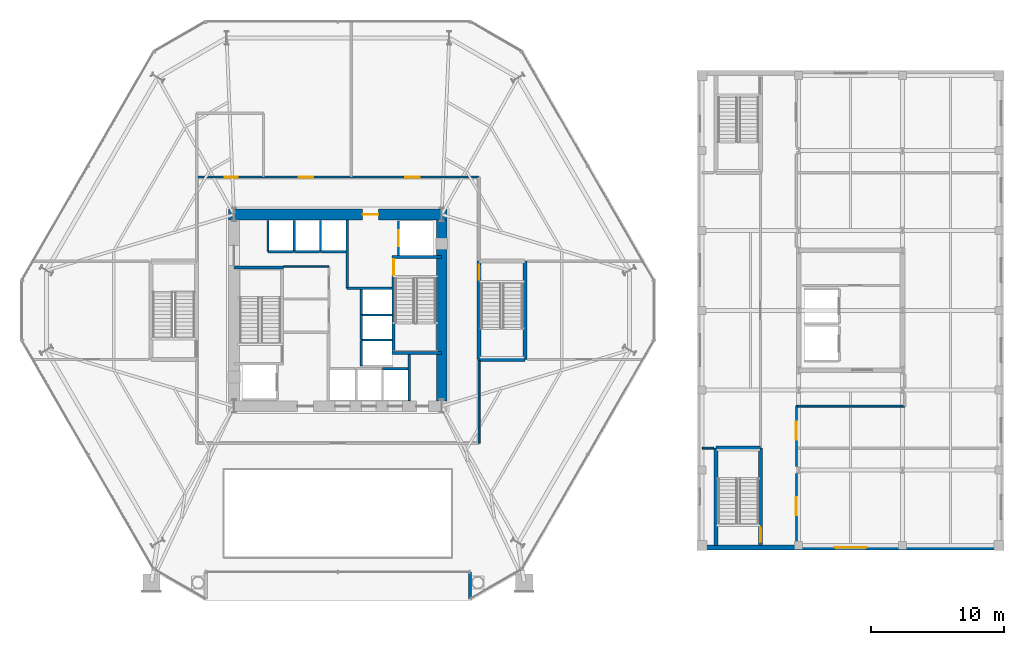
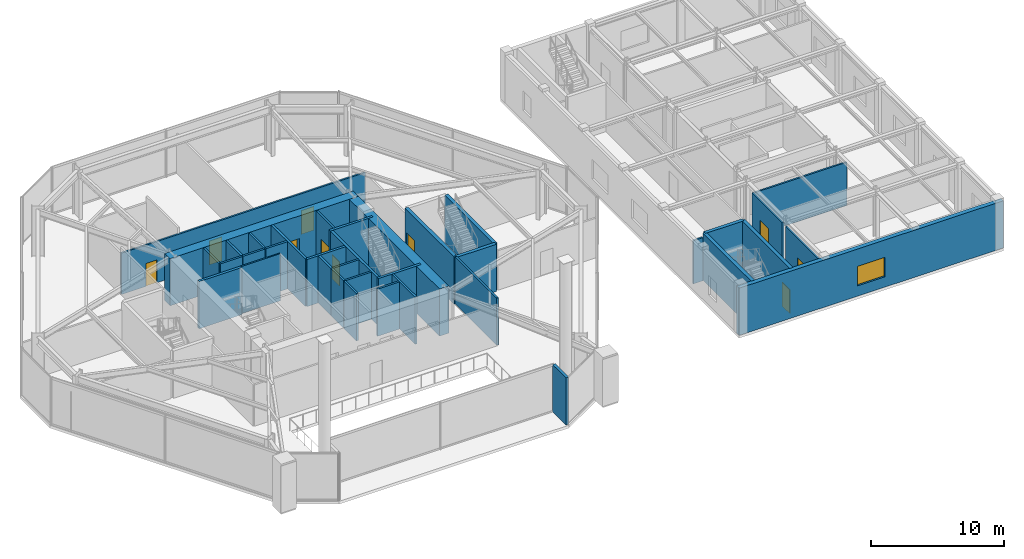
# One storey, part 16 of 22: 37 walls, 10 doors, 1 window, 11 openings.
"""IFC4 building model written with IfcOpenShell, lengths in metres."""

from ifc_helpers import new_model, si_unit, direction, frame, frame_2d, origin, place, context, subcontext, project, spatial, rectangle, extrude, material, layer, layer_set, type_object, element, fill, save


model = new_model("IFC4")

# Units and contexts
model_context = context("Model", 3, precision=1e-05, world=origin(), true_north=direction((0.0, 1.0)))
body_context = subcontext(model_context, "Body", "Model", "MODEL_VIEW")
ifc_project = project(units=[si_unit("LENGTHUNIT", "METRE"), si_unit("AREAUNIT", "SQUARE_METRE"), si_unit("VOLUMEUNIT", "CUBIC_METRE"), si_unit("PLANEANGLEUNIT", "RADIAN"), si_unit("MASSUNIT", "GRAM", prefix="KILO")], contexts=[model_context])

# Site, building, storey
site_placement = place(None, origin())
site = spatial("IfcSite", under=ifc_project, at=site_placement, CompositionType="ELEMENT")
building_placement = place(site_placement, origin())
building = spatial("IfcBuilding", under=site, at=building_placement, Name="Kranzbogen Civic Tower", CompositionType="ELEMENT")
storey_placement = place(building_placement, frame((0.0, 0.0, 5.199951171875)))
storey = spatial("IfcBuildingStorey", under=building, at=storey_placement, Name="L01", CompositionType="ELEMENT", Elevation=5.199951171875)

# Wall, openings, doors
ifc_material_1 = material(Name="Double-Stud Acoustic Gypsum Partition")
ifc_layer_1 = layer(ifc_material_1, 0.14990234375, Name="Double-Stud Acoustic Gypsum Partition")
ifc_layer_set_1 = layer_set([ifc_layer_1], Name="Double-Stud Acoustic Gypsum Partition")
wall_type_1 = type_object("IfcWallType", Name="Acoustic Corridor and Clinical Partition 150 mm", PredefinedType="PARTITIONING", material=ifc_layer_set_1)
wall_1_placement = place(storey_placement, frame((14.39990234375, 35.0, 0.0), z_axis=(0.0, 0.0, 1.0), x_axis=(1.0, 0.0, 0.0)))
wall_1 = element("IfcWall", 1, at=wall_1_placement, inside=storey, type_object=wall_type_1, Name="L01 podium concourse N wall", PredefinedType="PARTITIONING", context=body_context, shape_type="SweptSolid", body=[
    extrude(rectangle(XDim=21.2001953125, YDim=0.14990234375, at=frame_2d((10.60009765625, 0.0))), origin(), (0.0, 0.0, 1.0), 3.7900390625),
])
opening_1_placement = place(wall_1_placement, frame((2.1201171875, 0.0, 0.0)))
opening_1 = element("IfcOpeningElement", 2, at=opening_1_placement, cuts=wall_1, Name="Opening D-AWC95", PredefinedType="OPENING", context=body_context, shape_type="SweptSolid", body=[
    extrude(rectangle(XDim=0.949951171875, YDim=2.10009765625, at=frame_2d((0.47509765625, 1.050048828125))), frame((0.0, 0.0849609375, 0.0), z_axis=(0.0, -1.0, 0.0), x_axis=(1.0, 0.0, 0.0)), (0.0, 0.0, 1.0), 0.169921875),
])
opening_2_placement = place(wall_1_placement, frame((15.666015625, 0.0, 0.0)))
opening_2 = element("IfcOpeningElement", 3, at=opening_2_placement, cuts=wall_1, Name="Opening D-COR60", PredefinedType="OPENING", context=body_context, shape_type="SweptSolid", body=[
    extrude(rectangle(XDim=1.10009765625, YDim=2.199951171875, at=frame_2d((0.550048828125, 1.10009765625))), frame((0.0, 0.0849609375, 0.0), z_axis=(0.0, -1.0, 0.0), x_axis=(1.0, 0.0, 0.0)), (0.0, 0.0, 1.0), 0.169921875),
])
opening_3_placement = place(wall_1_placement, frame((7.659912109375, 0.0, 0.0)))
opening_3 = element("IfcOpeningElement", 4, at=opening_3_placement, cuts=wall_1, Name="Opening D-COR60", PredefinedType="OPENING", context=body_context, shape_type="SweptSolid", body=[
    extrude(rectangle(XDim=1.10009765625, YDim=2.199951171875, at=frame_2d((0.550048828125, 1.10009765625))), frame((0.0, 0.0849609375, 0.0), z_axis=(0.0, -1.0, 0.0), x_axis=(1.0, 0.0, 0.0)), (0.0, 0.0, 1.0), 0.169921875),
])
ifc_material_2 = material(Name="Moisture-Resistant Laminate")
door_type_1 = type_object("IfcDoorType", Name="Accessible Restroom Door 950x2100", OperationType="NOTDEFINED", PredefinedType="DOOR", material=ifc_material_2)
door_1_placement = place(opening_1_placement, origin())
door_1 = element("IfcDoor", 5, at=door_1_placement, inside=storey, type_object=door_type_1, Name="L01 Public Restroom Suite door", OperationType="SINGLE_SWING_LEFT", OverallHeight=2.10009765625, OverallWidth=0.949951171875, PredefinedType="DOOR", context=body_context, shape_type="SweptSolid", body=[
    extrude(rectangle(XDim=0.949951171875, YDim=2.10009765625, at=frame_2d((0.47509765625, 1.050048828125))), frame((0.0, 0.02490234375, 0.0), z_axis=(0.0, -1.0, 0.0), x_axis=(1.0, 0.0, 0.0)), (0.0, 0.0, 1.0), 0.050048828125),
])
fill(opening_1, door_1)
ifc_material_3 = material(Name="Oak Timber and Fire Core", Category="wood")
door_type_2 = type_object("IfcDoorType", Name="Corridor Acoustic Fire Door 1100x2200", OperationType="NOTDEFINED", PredefinedType="DOOR", material=ifc_material_3)
door_2_placement = place(opening_2_placement, origin())
door_2 = element("IfcDoor", 6, at=door_2_placement, inside=storey, type_object=door_type_2, Name="L01 Public Gallery Overlook door", OperationType="SINGLE_SWING_LEFT", OverallHeight=2.199951171875, OverallWidth=1.10009765625, PredefinedType="DOOR", context=body_context, shape_type="SweptSolid", body=[
    extrude(rectangle(XDim=1.10009765625, YDim=2.199951171875, at=frame_2d((0.550048828125, 1.10009765625))), frame((0.0, 0.02490234375, 0.0), z_axis=(0.0, -1.0, 0.0), x_axis=(1.0, 0.0, 0.0)), (0.0, 0.0, 1.0), 0.050048828125),
])
fill(opening_2, door_2)
door_3_placement = place(opening_3_placement, origin())
door_3 = element("IfcDoor", 7, at=door_3_placement, inside=storey, type_object=door_type_2, Name="L01 Citizen Advisory Office door", OperationType="SINGLE_SWING_RIGHT", OverallHeight=2.199951171875, OverallWidth=1.10009765625, PredefinedType="DOOR", context=body_context, shape_type="SweptSolid", body=[
    extrude(rectangle(XDim=1.10009765625, YDim=2.199951171875, at=frame_2d((0.550048828125, 1.10009765625))), frame((0.0, 0.02490234375, 0.0), z_axis=(0.0, -1.0, 0.0), x_axis=(1.0, 0.0, 0.0)), (0.0, 0.0, 1.0), 0.050048828125),
])
fill(opening_3, door_3)

# Wall
wall_2_placement = place(storey_placement, frame((35.60009765625, 15.0, 0.0), z_axis=(0.0, 0.0, 1.0), x_axis=(0.0, 1.0, 0.0)))
element("IfcWall", 8, at=wall_2_placement, inside=storey, type_object=wall_type_1, Name="L01 podium concourse E1 wall", PredefinedType="PARTITIONING", context=body_context, shape_type="SweptSolid", body=[
    extrude(rectangle(XDim=6.25, YDim=0.14990234375, at=frame_2d((3.125, 0.0))), origin(), (0.0, 0.0, 1.0), 4.340087890625),
])

# Wall, opening, door
wall_3_placement = place(storey_placement, frame((59.425048828125, 7.68994140625, 0.0), z_axis=(0.0, 0.0, 1.0), x_axis=(0.0, 1.0, 0.0)))
wall_3 = element("IfcWall", 9, at=wall_3_placement, inside=storey, type_object=wall_type_1, Name="L01 clinical corridor E1 wall part 1", PredefinedType="PARTITIONING", context=body_context, shape_type="SweptSolid", body=[
    extrude(rectangle(XDim=5.045166015625, YDim=0.14990234375, at=frame_2d((2.5224609375, 0.0))), origin(), (0.0, 0.0, 1.0), 3.97998046875),
])
opening_4_placement = place(wall_3_placement, frame((1.93603515625, 0.0, 0.0)))
opening_4 = element("IfcOpeningElement", 10, at=opening_4_placement, cuts=wall_3, Name="Opening D-CLN60", PredefinedType="OPENING", context=body_context, shape_type="SweptSolid", body=[
    extrude(rectangle(XDim=1.35009765625, YDim=2.199951171875, at=frame_2d((0.675048828125, 1.10009765625))), frame((0.0, 0.0849609375, 0.0), z_axis=(0.0, -1.0, 0.0), x_axis=(1.0, 0.0, 0.0)), (0.0, 0.0, 1.0), 0.169921875),
])
ifc_material_4 = material(Name="Pale Anodised Aluminium", Category="aluminium")
door_type_3 = type_object("IfcDoorType", Name="Clinical Wide Leaf Door 1350x2200", OperationType="NOTDEFINED", PredefinedType="DOOR", material=ifc_material_4)
door_4_placement = place(opening_4_placement, origin())
door_4 = element("IfcDoor", 11, at=door_4_placement, inside=storey, type_object=door_type_3, Name="L01 Patient Waiting Lounge door", OperationType="SINGLE_SWING_RIGHT", OverallHeight=2.199951171875, OverallWidth=1.35009765625, PredefinedType="DOOR", context=body_context, shape_type="SweptSolid", body=[
    extrude(rectangle(XDim=1.35009765625, YDim=2.199951171875, at=frame_2d((0.675048828125, 1.10009765625))), frame((0.0, 0.02490234375, 0.0), z_axis=(0.0, -1.0, 0.0), x_axis=(1.0, 0.0, 0.0)), (0.0, 0.0, 1.0), 0.050048828125),
])
fill(opening_4, door_4)

wall_4_placement = place(storey_placement, frame((59.425048828125, 13.264892578125, 0.0), z_axis=(0.0, 0.0, 1.0), x_axis=(0.0, 1.0, 0.0)))
wall_4 = element("IfcWall", 12, at=wall_4_placement, inside=storey, type_object=wall_type_1, Name="L01 clinical corridor E1 wall part 2", PredefinedType="PARTITIONING", context=body_context, shape_type="SweptSolid", body=[
    extrude(rectangle(XDim=4.53515625, YDim=0.14990234375, at=frame_2d((2.267578125, 0.0))), origin(), (0.0, 0.0, 1.0), 3.97998046875),
])
opening_5_placement = place(wall_4_placement, frame((2.013916015625, 0.0, 0.0)))
opening_5 = element("IfcOpeningElement", 13, at=opening_5_placement, cuts=wall_4, Name="Opening D-CLN60", PredefinedType="OPENING", context=body_context, shape_type="SweptSolid", body=[
    extrude(rectangle(XDim=1.35009765625, YDim=2.199951171875, at=frame_2d((0.675048828125, 1.10009765625))), frame((0.0, 0.0849609375, 0.0), z_axis=(0.0, -1.0, 0.0), x_axis=(1.0, 0.0, 0.0)), (0.0, 0.0, 1.0), 0.169921875),
])
door_5_placement = place(opening_5_placement, origin())
door_5 = element("IfcDoor", 14, at=door_5_placement, inside=storey, type_object=door_type_3, Name="L01 Clean Utility and Sterile Store door", OperationType="SINGLE_SWING_RIGHT", OverallHeight=2.199951171875, OverallWidth=1.35009765625, PredefinedType="DOOR", context=body_context, shape_type="SweptSolid", body=[
    extrude(rectangle(XDim=1.35009765625, YDim=2.199951171875, at=frame_2d((0.675048828125, 1.10009765625))), frame((0.0, 0.02490234375, 0.0), z_axis=(0.0, -1.0, 0.0), x_axis=(1.0, 0.0, 0.0)), (0.0, 0.0, 1.0), 0.050048828125),
])
fill(opening_5, door_5)

# Walls
wall_5_placement = place(storey_placement, frame((59.425048828125, 17.800048828125, 0.0), z_axis=(0.0, 0.0, 1.0), x_axis=(1.0, 0.0, 0.0)))
element("IfcWall", 15, at=wall_5_placement, inside=storey, type_object=wall_type_1, Name="L01 clinical partition 02", PredefinedType="PARTITIONING", context=body_context, shape_type="SweptSolid", body=[
    extrude(rectangle(XDim=8.14990234375, YDim=0.14990234375, at=frame_2d((4.074951171875, 0.0))), origin(), (0.0, 0.0, 1.0), 3.97998046875),
])
wall_6_placement = place(storey_placement, frame((52.3798828125, 14.64990234375, 0.0), z_axis=(0.0, 0.0, 1.0), x_axis=(1.0, 0.0, 0.0)))
element("IfcWall", 16, at=wall_6_placement, inside=storey, type_object=wall_type_1, Name="L01 clinical partition 03", PredefinedType="PARTITIONING", context=body_context, shape_type="SweptSolid", body=[
    extrude(rectangle(XDim=0.840087890625, YDim=0.14990234375, at=frame_2d((0.419921875, 0.0))), origin(), (0.0, 0.0, 1.0), 3.97998046875),
])
ifc_material_5 = material(Name="Insulated Metal-Stud Gypsum Partition")
ifc_layer_2 = layer(ifc_material_5, 0.125, Name="Insulated Metal-Stud Gypsum Partition")
ifc_layer_set_2 = layer_set([ifc_layer_2], Name="Insulated Metal-Stud Gypsum Partition")
wall_type_2 = type_object("IfcWallType", Name="Acoustic Inter-Room Partition 125 mm", PredefinedType="PARTITIONING", material=ifc_layer_set_2)
wall_7_placement = place(storey_placement, frame((20.919921875, 28.280029296875, 0.0), z_axis=(0.0, 0.0, 1.0), x_axis=(1.0, 0.0, 0.0)))
element("IfcWall", 17, at=wall_7_placement, inside=storey, type_object=wall_type_2, Name="L01 core auxiliary North wall", PredefinedType="PARTITIONING", context=body_context, shape_type="SweptSolid", body=[
    extrude(rectangle(XDim=3.405029296875, YDim=0.125, at=frame_2d((1.70263671875, 0.0))), origin(), (0.0, 0.0, 1.0), 4.340087890625),
])

# Wall, opening, door
ifc_material_6 = material(Name="Concrete C55/67", Category="concrete")
ifc_layer_3 = layer(ifc_material_6, 0.800048828125, Name="Concrete C55/67")
ifc_layer_set_3 = layer_set([ifc_layer_3], Name="Concrete C55/67")
wall_type_3 = type_object("IfcWallType", Name="Central Core Shear Wall 800 mm", PredefinedType="SHEAR", material=ifc_layer_set_3)
wall_8_placement = place(storey_placement, frame((33.199951171875, 32.199951171875, 0.0), z_axis=(0.0, 0.0, 1.0), x_axis=(-1.0, 0.0, 0.0)))
wall_8 = element("IfcWall", 18, at=wall_8_placement, inside=storey, type_object=wall_type_3, Name="L01 central core North shear wall", PredefinedType="SHEAR", context=body_context, shape_type="SweptSolid", body=[
    extrude(rectangle(XDim=16.39990234375, YDim=0.800048828125, at=frame_2d((8.199951171875, 0.0))), origin(), (0.0, 0.0, 1.0), 4.340087890625),
])
opening_6_placement = place(wall_8_placement, frame((5.14990234375, 0.0, 0.0)))
opening_6 = element("IfcOpeningElement", 19, at=opening_6_placement, cuts=wall_8, Name="Opening D-EX120", PredefinedType="OPENING", context=body_context, shape_type="SweptSolid", body=[
    extrude(rectangle(XDim=1.199951171875, YDim=2.25, at=frame_2d((0.60009765625, 1.125))), frame((0.0, 0.41015625, 0.0), z_axis=(0.0, -1.0, 0.0), x_axis=(1.0, 0.0, 0.0)), (0.0, 0.0, 1.0), 0.820068359375),
])
ifc_material_7 = material(Name="Steel S355", Category="steel")
door_type_4 = type_object("IfcDoorType", Name="Exit Passageway Fire Door 1200x2250", OperationType="NOTDEFINED", PredefinedType="DOOR", material=ifc_material_7)
door_6_placement = place(opening_6_placement, origin())
door_6 = element("IfcDoor", 20, at=door_6_placement, inside=storey, type_object=door_type_4, Name="L01 East firefighting lobby corridor door", OperationType="SINGLE_SWING_RIGHT", OverallHeight=2.25, OverallWidth=1.199951171875, PredefinedType="DOOR", context=body_context, shape_type="SweptSolid", body=[
    extrude(rectangle(XDim=1.199951171875, YDim=2.25, at=frame_2d((0.60009765625, 1.125))), frame((0.0, 0.02490234375, 0.0), z_axis=(0.0, -1.0, 0.0), x_axis=(1.0, 0.0, 0.0)), (0.0, 0.0, 1.0), 0.050048828125),
])
fill(opening_6, door_6)

# Walls
wall_9_placement = place(storey_placement, frame((32.800048828125, 18.199951171875, 0.0), z_axis=(0.0, 0.0, 1.0), x_axis=(0.0, 1.0, 0.0)))
element("IfcWall", 21, at=wall_9_placement, inside=storey, type_object=wall_type_3, Name="L01 central core East shear wall", PredefinedType="SHEAR", context=body_context, shape_type="SweptSolid", body=[
    extrude(rectangle(XDim=13.60009765625, YDim=0.800048828125, at=frame_2d((6.800048828125, 0.0))), origin(), (0.0, 0.0, 1.0), 4.340087890625),
])
ifc_material_8 = material(Name="Concrete C45/55", Category="concrete")
ifc_layer_4 = layer(ifc_material_8, 0.219970703125, Name="Concrete C45/55")
ifc_layer_set_4 = layer_set([ifc_layer_4], Name="Concrete C45/55")
wall_type_4 = type_object("IfcWallType", Name="Core Internal Stair Structural Wall 220 mm", PredefinedType="SOLIDWALL", material=ifc_layer_set_4)
wall_10_placement = place(storey_placement, frame((17.199951171875, 28.2099609375, 0.0), z_axis=(0.0, 0.0, 1.0), x_axis=(1.0, 0.0, 0.0)))
element("IfcWall", 22, at=wall_10_placement, inside=storey, type_object=wall_type_4, Name="L01 ST-T1 North structural stair wall", PredefinedType="SOLIDWALL", context=body_context, shape_type="SweptSolid", body=[
    extrude(rectangle(XDim=3.719970703125, YDim=0.219970703125, at=frame_2d((1.85986328125, 0.0))), origin(), (0.0, 0.0, 1.0), 4.340087890625),
])

# Wall, opening, door
wall_11_placement = place(storey_placement, frame((29.18994140625, 21.7900390625, 0.0), z_axis=(0.0, 0.0, 1.0), x_axis=(0.0, 1.0, 0.0)))
wall_11 = element("IfcWall", 23, at=wall_11_placement, inside=storey, type_object=wall_type_4, Name="L01 ST-T2 West structural stair wall", PredefinedType="SOLIDWALL", context=body_context, shape_type="SweptSolid", body=[
    extrude(rectangle(XDim=7.219970703125, YDim=0.219970703125, at=frame_2d((3.60986328125, 0.0))), origin(), (0.0, 0.0, 1.0), 4.340087890625),
])
opening_7_placement = place(wall_11_placement, frame((5.8798828125, 0.0, 0.0)))
opening_7 = element("IfcOpeningElement", 24, at=opening_7_placement, cuts=wall_11, Name="Opening D-ST90", PredefinedType="OPENING", context=body_context, shape_type="SweptSolid", body=[
    extrude(rectangle(XDim=1.14990234375, YDim=2.199951171875, at=frame_2d((0.574951171875, 1.10009765625))), frame((0.0, 0.1201171875, 0.0), z_axis=(0.0, -1.0, 0.0), x_axis=(1.0, 0.0, 0.0)), (0.0, 0.0, 1.0), 0.239990234375),
])
door_type_5 = type_object("IfcDoorType", Name="Pressurized Stair and Lobby Fire Door 1150x2200", OperationType="NOTDEFINED", PredefinedType="DOOR", material=ifc_material_7)
door_7_placement = place(opening_7_placement, origin())
door_7 = element("IfcDoor", 25, at=door_7_placement, inside=storey, type_object=door_type_5, Name="L01 Stair ST-T2 fire door", OperationType="SINGLE_SWING_RIGHT", OverallHeight=2.199951171875, OverallWidth=1.14990234375, PredefinedType="DOOR", context=body_context, shape_type="SweptSolid", body=[
    extrude(rectangle(XDim=1.14990234375, YDim=2.199951171875, at=frame_2d((0.574951171875, 1.10009765625))), frame((0.0, 0.02490234375, 0.0), z_axis=(0.0, -1.0, 0.0), x_axis=(1.0, 0.0, 0.0)), (0.0, 0.0, 1.0), 0.050048828125),
])
fill(opening_7, door_7)

# Walls
for number, where, z_axis, x_axis, name in (
    (26, (29.080078125, 21.7900390625, 0.0), (0.0, 0.0, 1.0), (1.0, 0.0, 0.0), "L01 ST-T2 South structural stair wall"),
    (27, (29.080078125, 29.010009765625, 0.0), (0.0, 0.0, 1.0), (1.0, 0.0, 0.0), "L01 ST-T2 North structural stair wall"),
):
    element("IfcWall", number, at=place(storey_placement, frame(where, z_axis=z_axis, x_axis=x_axis)), inside=storey, type_object=wall_type_4, Name=name, PredefinedType="SOLIDWALL", context=body_context, shape_type="SweptSolid", body=[
        extrude(rectangle(XDim=3.719970703125, YDim=0.219970703125, at=frame_2d((1.85986328125, 0.0))), origin(), (0.0, 0.0, 1.0), 4.340087890625),
    ])
ifc_material_9 = material(Name="Gypsum Fireboard and Concrete Block", Category="concrete")
ifc_layer_5 = layer(ifc_material_9, 0.199951171875, Name="Gypsum Fireboard and Concrete Block")
ifc_layer_set_5 = layer_set([ifc_layer_5], Name="Gypsum Fireboard and Concrete Block")
wall_type_5 = type_object("IfcWallType", Name="Fire-Rated Exit Passageway and Stair Wall 200 mm", PredefinedType="PARTITIONING", material=ifc_layer_set_5)
wall_12_placement = place(storey_placement, frame((25.699951171875, 26.64990234375, 0.0), z_axis=(0.0, 0.0, 1.0), x_axis=(0.0, 1.0, 0.0)))
element("IfcWall", 28, at=wall_12_placement, inside=storey, type_object=wall_type_5, Name="L01 East firefighting lobby West wall", PredefinedType="PARTITIONING", context=body_context, shape_type="SweptSolid", body=[
    extrude(rectangle(XDim=5.150146484375, YDim=0.199951171875, at=frame_2d((2.5751953125, 0.0))), origin(), (0.0, 0.0, 1.0), 4.340087890625),
])
wall_13_placement = place(storey_placement, frame((25.699951171875, 26.64990234375, 0.0), z_axis=(0.0, 0.0, 1.0), x_axis=(1.0, 0.0, 0.0)))
element("IfcWall", 29, at=wall_13_placement, inside=storey, type_object=wall_type_5, Name="L01 East firefighting lobby South wall", PredefinedType="PARTITIONING", context=body_context, shape_type="SweptSolid", body=[
    extrude(rectangle(XDim=3.380126953125, YDim=0.199951171875, at=frame_2d((1.68994140625, 0.0))), origin(), (0.0, 0.0, 1.0), 4.340087890625),
])
ifc_material_10 = material(Name="Gypsum Fireboard Shaftliner")
ifc_layer_6 = layer(ifc_material_10, 0.175048828125, Name="Gypsum Fireboard Shaftliner")
ifc_layer_set_6 = layer_set([ifc_layer_6], Name="Gypsum Fireboard Shaftliner")
wall_type_6 = type_object("IfcWallType", Name="Fire-Rated Lift and Service Shaft Wall 175 mm", PredefinedType="PARTITIONING", material=ifc_layer_set_6)
wall_14_placement = place(storey_placement, frame((30.35009765625, 18.199951171875, 0.0), z_axis=(0.0, 0.0, 1.0), x_axis=(0.0, 1.0, 0.0)))
element("IfcWall", 30, at=wall_14_placement, inside=storey, type_object=wall_type_6, Name="L01 East core riser West wall", PredefinedType="PARTITIONING", context=body_context, shape_type="SweptSolid", body=[
    extrude(rectangle(XDim=3.47998046875, YDim=0.175048828125, at=frame_2d((1.739990234375, 0.0))), origin(), (0.0, 0.0, 1.0), 4.340087890625),
])
for number, where, z_axis, x_axis, name in (
    (31, (28.35009765625, 20.60009765625, 0.0), (0.0, 0.0, 1.0), (1.0, 0.0, 0.0), "L01 lift LP-03 rear wall"),
    (32, (19.75, 29.39990234375, 0.0), (0.0, 0.0, 1.0), (1.0, 0.0, 0.0), "L01 lift MP-01 rear wall"),
):
    element("IfcWall", number, at=place(storey_placement, frame(where, z_axis=z_axis, x_axis=x_axis)), inside=storey, type_object=wall_type_6, Name=name, PredefinedType="PARTITIONING", context=body_context, shape_type="SweptSolid", body=[
        extrude(rectangle(XDim=1.89990234375, YDim=0.175048828125, at=frame_2d((0.949951171875, 0.0))), origin(), (0.0, 0.0, 1.0), 4.340087890625),
    ])
wall_15_placement = place(storey_placement, frame((19.75, 29.39990234375, 0.0), z_axis=(0.0, 0.0, 1.0), x_axis=(0.0, 1.0, 0.0)))
element("IfcWall", 33, at=wall_15_placement, inside=storey, type_object=wall_type_6, Name="L01 lift MP-01 side wall", PredefinedType="PARTITIONING", context=body_context, shape_type="SweptSolid", body=[
    extrude(rectangle(XDim=2.35009765625, YDim=0.175048828125, at=frame_2d((1.175048828125, 0.0))), origin(), (0.0, 0.0, 1.0), 4.340087890625),
])
wall_16_placement = place(storey_placement, frame((21.72509765625, 29.39990234375, 0.0), z_axis=(0.0, 0.0, 1.0), x_axis=(1.0, 0.0, 0.0)))
element("IfcWall", 34, at=wall_16_placement, inside=storey, type_object=wall_type_6, Name="L01 lift MP-02 rear wall", PredefinedType="PARTITIONING", context=body_context, shape_type="SweptSolid", body=[
    extrude(rectangle(XDim=1.89990234375, YDim=0.175048828125, at=frame_2d((0.949951171875, 0.0))), origin(), (0.0, 0.0, 1.0), 4.340087890625),
])
wall_17_placement = place(storey_placement, frame((21.72509765625, 29.39990234375, 0.0), z_axis=(0.0, 0.0, 1.0), x_axis=(0.0, 1.0, 0.0)))
element("IfcWall", 35, at=wall_17_placement, inside=storey, type_object=wall_type_6, Name="L01 lift MP-02 side wall", PredefinedType="PARTITIONING", context=body_context, shape_type="SweptSolid", body=[
    extrude(rectangle(XDim=2.35009765625, YDim=0.175048828125, at=frame_2d((1.175048828125, 0.0))), origin(), (0.0, 0.0, 1.0), 4.340087890625),
])
wall_18_placement = place(storey_placement, frame((23.699951171875, 29.39990234375, 0.0), z_axis=(0.0, 0.0, 1.0), x_axis=(1.0, 0.0, 0.0)))
element("IfcWall", 36, at=wall_18_placement, inside=storey, type_object=wall_type_6, Name="L01 lift MP-03 rear wall", PredefinedType="PARTITIONING", context=body_context, shape_type="SweptSolid", body=[
    extrude(rectangle(XDim=1.900146484375, YDim=0.175048828125, at=frame_2d((0.9501953125, 0.0))), origin(), (0.0, 0.0, 1.0), 4.340087890625),
])
wall_19_placement = place(storey_placement, frame((23.699951171875, 29.39990234375, 0.0), z_axis=(0.0, 0.0, 1.0), x_axis=(0.0, 1.0, 0.0)))
element("IfcWall", 37, at=wall_19_placement, inside=storey, type_object=wall_type_6, Name="L01 lift MP-03 side wall", PredefinedType="PARTITIONING", context=body_context, shape_type="SweptSolid", body=[
    extrude(rectangle(XDim=2.35009765625, YDim=0.175048828125, at=frame_2d((1.175048828125, 0.0))), origin(), (0.0, 0.0, 1.0), 4.340087890625),
])
wall_20_placement = place(storey_placement, frame((26.75, 20.800048828125, 0.0), z_axis=(0.0, 0.0, 1.0), x_axis=(0.0, 1.0, 0.0)))
element("IfcWall", 38, at=wall_20_placement, inside=storey, type_object=wall_type_6, Name="L01 lift HP-01 landing wall", PredefinedType="PARTITIONING", context=body_context, shape_type="SweptSolid", body=[
    extrude(rectangle(XDim=1.89990234375, YDim=0.175048828125, at=frame_2d((0.949951171875, 0.0))), origin(), (0.0, 0.0, 1.0), 4.340087890625),
])
wall_21_placement = place(storey_placement, frame((26.75, 22.77490234375, 0.0), z_axis=(0.0, 0.0, 1.0), x_axis=(0.0, 1.0, 0.0)))
element("IfcWall", 39, at=wall_21_placement, inside=storey, type_object=wall_type_6, Name="L01 lift HP-02 landing wall", PredefinedType="PARTITIONING", context=body_context, shape_type="SweptSolid", body=[
    extrude(rectangle(XDim=1.900146484375, YDim=0.175048828125, at=frame_2d((0.9501953125, 0.0))), origin(), (0.0, 0.0, 1.0), 4.340087890625),
])
wall_22_placement = place(storey_placement, frame((26.75, 22.77490234375, 0.0), z_axis=(0.0, 0.0, 1.0), x_axis=(1.0, 0.0, 0.0)))
element("IfcWall", 40, at=wall_22_placement, inside=storey, type_object=wall_type_6, Name="L01 lift HP-02 side wall", PredefinedType="PARTITIONING", context=body_context, shape_type="SweptSolid", body=[
    extrude(rectangle(XDim=2.35009765625, YDim=0.175048828125, at=frame_2d((1.175048828125, 0.0))), origin(), (0.0, 0.0, 1.0), 4.340087890625),
])
wall_23_placement = place(storey_placement, frame((26.75, 24.64990234375, 0.0), z_axis=(0.0, 0.0, 1.0), x_axis=(0.0, 1.0, 0.0)))
element("IfcWall", 41, at=wall_23_placement, inside=storey, type_object=wall_type_6, Name="L01 lift HP-03 landing wall", PredefinedType="PARTITIONING", context=body_context, shape_type="SweptSolid", body=[
    extrude(rectangle(XDim=1.900146484375, YDim=0.175048828125, at=frame_2d((0.9501953125, 0.0))), origin(), (0.0, 0.0, 1.0), 4.340087890625),
])
wall_24_placement = place(storey_placement, frame((26.75, 24.64990234375, 0.0), z_axis=(0.0, 0.0, 1.0), x_axis=(1.0, 0.0, 0.0)))
element("IfcWall", 42, at=wall_24_placement, inside=storey, type_object=wall_type_6, Name="L01 lift HP-03 side wall", PredefinedType="PARTITIONING", context=body_context, shape_type="SweptSolid", body=[
    extrude(rectangle(XDim=2.35009765625, YDim=0.175048828125, at=frame_2d((1.175048828125, 0.0))), origin(), (0.0, 0.0, 1.0), 4.340087890625),
])

# Wall, opening, door
wall_25_placement = place(storey_placement, frame((29.550048828125, 29.10009765625, 0.0), z_axis=(0.0, 0.0, 1.0), x_axis=(0.0, 1.0, 0.0)))
wall_25 = element("IfcWall", 43, at=wall_25_placement, inside=storey, type_object=wall_type_6, Name="L01 lift FF-02 landing wall", PredefinedType="PARTITIONING", context=body_context, shape_type="SweptSolid", body=[
    extrude(rectangle(XDim=2.599853515625, YDim=0.175048828125, at=frame_2d((1.2998046875, 0.0))), origin(), (0.0, 0.0, 1.0), 4.340087890625),
])
opening_8_placement = place(wall_25_placement, frame((0.699951171875, 0.0, 0.0)))
opening_8 = element("IfcOpeningElement", 44, at=opening_8_placement, cuts=wall_25, Name="Opening LD-FF-02", PredefinedType="OPENING", context=body_context, shape_type="SweptSolid", body=[
    extrude(rectangle(XDim=1.199951171875, YDim=2.199951171875, at=frame_2d((0.60009765625, 1.10009765625))), frame((0.0, 0.09765625, 0.0), z_axis=(0.0, -1.0, 0.0), x_axis=(1.0, 0.0, 0.0)), (0.0, 0.0, 1.0), 0.195068359375),
])
door_type_6 = type_object("IfcDoorType", Name="Firefighting and Stretcher Lift Sliding Landing Door 1200x2200", OperationType="DOUBLE_DOOR_SLIDING", PredefinedType="DOOR", material=ifc_material_4)
door_8_placement = place(opening_8_placement, origin())
door_8 = element("IfcDoor", 45, at=door_8_placement, inside=storey, type_object=door_type_6, Name="L01 lift FF-02 sliding landing door", OperationType="DOUBLE_DOOR_SLIDING", OverallHeight=2.199951171875, OverallWidth=1.199951171875, PredefinedType="DOOR", context=body_context, shape_type="SweptSolid", body=[
    extrude(rectangle(XDim=1.199951171875, YDim=2.199951171875, at=frame_2d((0.60009765625, 1.10009765625))), frame((0.0, 0.02490234375, 0.0), z_axis=(0.0, -1.0, 0.0), x_axis=(1.0, 0.0, 0.0)), (0.0, 0.0, 1.0), 0.050048828125),
])
fill(opening_8, door_8)

# Wall, opening, window
ifc_material_11 = material(Name="Precast concrete C40/50", Category="concrete")
ifc_layer_7 = layer(ifc_material_11, 0.3798828125, Name="Precast concrete C40/50")
ifc_layer_set_7 = layer_set([ifc_layer_7], Name="Precast concrete C40/50")
wall_type_7 = type_object("IfcWallType", Name="Health Centre Insulated Precast Facade Wall 380 mm", PredefinedType="STANDARD", material=ifc_layer_set_7)
wall_26_placement = place(storey_placement, frame((75.0, 7.18994140625, 0.0), z_axis=(0.0, 0.0, 1.0), x_axis=(-1.0, 0.0, 0.0)))
wall_26 = element("IfcWall", 46, at=wall_26_placement, inside=storey, type_object=wall_type_7, Name="L01 Health Centre South facade wall", PredefinedType="STANDARD", context=body_context, shape_type="SweptSolid", body=[
    extrude(rectangle(XDim=23.0, YDim=0.3798828125, at=frame_2d((11.5, 0.0))), origin(), (0.0, 0.0, 1.0), 4.340087890625),
])
opening_9_placement = place(wall_26_placement, frame((10.300048828125, 0.0, 0.949951171875)))
opening_9 = element("IfcOpeningElement", 47, at=opening_9_placement, cuts=wall_26, Name="Opening W-HC24", PredefinedType="OPENING", context=body_context, shape_type="SweptSolid", body=[
    extrude(rectangle(XDim=2.39990234375, YDim=1.800048828125, at=frame_2d((1.199951171875, 0.89990234375))), frame((0.0, 0.199951171875, 0.0), z_axis=(0.0, -1.0, 0.0), x_axis=(1.0, 0.0, 0.0)), (0.0, 0.0, 1.0), 0.39990234375),
])
ifc_material_12 = material(Name="Low-E Triple Glazing Glass", Category="glass")
window_type = type_object("IfcWindowType", Name="Wide Clinical Window 2400x1800", PartitioningType="TRIPLE_PANEL_VERTICAL", PredefinedType="WINDOW", material=ifc_material_12)
window_placement = place(opening_9_placement, origin())
window = element("IfcWindow", 48, at=window_placement, inside=storey, type_object=window_type, Name="L01 Health Centre South window", OverallHeight=1.800048828125, OverallWidth=2.39990234375, PartitioningType="TRIPLE_PANEL_VERTICAL", PredefinedType="WINDOW", context=body_context, shape_type="SweptSolid", body=[
    extrude(rectangle(XDim=2.39990234375, YDim=1.800048828125, at=frame_2d((1.199951171875, 0.89990234375))), frame((0.0, 0.030029296875, 0.0), z_axis=(0.0, -1.0, 0.0), x_axis=(1.0, 0.0, 0.0)), (0.0, 0.0, 1.0), 0.06005859375),
])
fill(opening_9, window)

# Wall
ifc_layer_8 = layer(ifc_material_4, 0.239990234375, Name="Pale Anodised Aluminium")
ifc_layer_set_8 = layer_set([ifc_layer_8], Name="Pale Anodised Aluminium")
wall_type_8 = type_object("IfcWallType", Name="Insulated Aluminium Facade Portal Wall 240 mm", PredefinedType="STANDARD", material=ifc_layer_set_8)
wall_27_placement = place(storey_placement, frame((34.929931640625, 5.35009765625, 0.0), z_axis=(0.0, 0.0, 1.0), x_axis=(0.0, -1.0, 0.0)))
element("IfcWall", 49, at=wall_27_placement, inside=storey, type_object=wall_type_8, Name="L01 portal colonnade East return wall", PredefinedType="STANDARD", context=body_context, shape_type="SweptSolid", body=[
    extrude(rectangle(XDim=2.023193359375, YDim=0.239990234375, at=frame_2d((1.01171875, 0.0))), origin(), (0.0, 0.0, 1.0), 4.340087890625),
])

# Wall, opening, door
ifc_material_13 = material(Name="Concrete C40/50", Category="concrete")
ifc_layer_9 = layer(ifc_material_13, 0.300048828125, Name="Concrete C40/50")
ifc_layer_set_9 = layer_set([ifc_layer_9], Name="Concrete C40/50")
wall_type_9 = type_object("IfcWallType", Name="Structural Ramp and Stair Shaft Wall 300 mm", PredefinedType="SOLIDWALL", material=ifc_layer_set_9)
wall_28_placement = place(storey_placement, frame((56.75, 7.35009765625, 0.0), z_axis=(0.0, 0.0, 1.0), x_axis=(0.0, 1.0, 0.0)))
wall_28 = element("IfcWall", 50, at=wall_28_placement, inside=storey, type_object=wall_type_9, Name="L01 STH1 E structural stair wall", PredefinedType="SOLIDWALL", context=body_context, shape_type="SweptSolid", body=[
    extrude(rectangle(XDim=7.2998046875, YDim=0.300048828125, at=frame_2d((3.64990234375, 0.0))), origin(), (0.0, 0.0, 1.0), 4.340087890625),
])
opening_10_placement = place(wall_28_placement, frame((0.219970703125, 0.0, 0.0)))
opening_10 = element("IfcOpeningElement", 51, at=opening_10_placement, cuts=wall_28, Name="Opening D-ST90", PredefinedType="OPENING", context=body_context, shape_type="SweptSolid", body=[
    extrude(rectangle(XDim=1.14990234375, YDim=2.199951171875, at=frame_2d((0.574951171875, 1.10009765625))), frame((0.0, 0.16015625, 0.0), z_axis=(0.0, -1.0, 0.0), x_axis=(1.0, 0.0, 0.0)), (0.0, 0.0, 1.0), 0.320068359375),
])
door_9_placement = place(opening_10_placement, origin())
door_9 = element("IfcDoor", 52, at=door_9_placement, inside=storey, type_object=door_type_5, Name="L01 Health Centre Stair 1 fire door", OperationType="SINGLE_SWING_RIGHT", OverallHeight=2.199951171875, OverallWidth=1.14990234375, PredefinedType="DOOR", context=body_context, shape_type="SweptSolid", body=[
    extrude(rectangle(XDim=1.14990234375, YDim=2.199951171875, at=frame_2d((0.574951171875, 1.10009765625))), frame((0.0, 0.02490234375, 0.0), z_axis=(0.0, -1.0, 0.0), x_axis=(1.0, 0.0, 0.0)), (0.0, 0.0, 1.0), 0.050048828125),
])
fill(opening_10, door_9)

# Walls
wall_29_placement = place(storey_placement, frame((53.39990234375, 7.35009765625, 0.0), z_axis=(0.0, 0.0, 1.0), x_axis=(0.0, 1.0, 0.0)))
element("IfcWall", 53, at=wall_29_placement, inside=storey, type_object=wall_type_9, Name="L01 STH1 W structural stair wall", PredefinedType="SOLIDWALL", context=body_context, shape_type="SweptSolid", body=[
    extrude(rectangle(XDim=7.2998046875, YDim=0.300048828125, at=frame_2d((3.64990234375, 0.0))), origin(), (0.0, 0.0, 1.0), 4.340087890625),
])
wall_30_placement = place(storey_placement, frame((53.39990234375, 14.64990234375, 0.0), z_axis=(0.0, 0.0, 1.0), x_axis=(1.0, 0.0, 0.0)))
element("IfcWall", 54, at=wall_30_placement, inside=storey, type_object=wall_type_9, Name="L01 STH1 N structural stair wall", PredefinedType="SOLIDWALL", context=body_context, shape_type="SweptSolid", body=[
    extrude(rectangle(XDim=3.35009765625, YDim=0.300048828125, at=frame_2d((1.675048828125, 0.0))), origin(), (0.0, 0.0, 1.0), 4.340087890625),
])

# Wall, opening, door
wall_31_placement = place(storey_placement, frame((35.60009765625, 21.300048828125, 0.0), z_axis=(0.0, 0.0, 1.0), x_axis=(0.0, 1.0, 0.0)))
wall_31 = element("IfcWall", 55, at=wall_31_placement, inside=storey, type_object=wall_type_9, Name="L01 STP2 W structural stair wall", PredefinedType="SOLIDWALL", context=body_context, shape_type="SweptSolid", body=[
    extrude(rectangle(XDim=7.39990234375, YDim=0.300048828125, at=frame_2d((3.699951171875, 0.0))), origin(), (0.0, 0.0, 1.0), 4.340087890625),
])
opening_11_placement = place(wall_31_placement, frame((5.97998046875, 0.0, 0.0)))
opening_11 = element("IfcOpeningElement", 56, at=opening_11_placement, cuts=wall_31, Name="Opening D-ST90", PredefinedType="OPENING", context=body_context, shape_type="SweptSolid", body=[
    extrude(rectangle(XDim=1.14990234375, YDim=2.199951171875, at=frame_2d((0.574951171875, 1.10009765625))), frame((0.0, 0.16015625, 0.0), z_axis=(0.0, -1.0, 0.0), x_axis=(1.0, 0.0, 0.0)), (0.0, 0.0, 1.0), 0.320068359375),
])
door_10_placement = place(opening_11_placement, origin())
door_10 = element("IfcDoor", 57, at=door_10_placement, inside=storey, type_object=door_type_5, Name="L01 Podium Stair 2 fire door", OperationType="SINGLE_SWING_RIGHT", OverallHeight=2.199951171875, OverallWidth=1.14990234375, PredefinedType="DOOR", context=body_context, shape_type="SweptSolid", body=[
    extrude(rectangle(XDim=1.14990234375, YDim=2.199951171875, at=frame_2d((0.574951171875, 1.10009765625))), frame((0.0, 0.02490234375, 0.0), z_axis=(0.0, -1.0, 0.0), x_axis=(1.0, 0.0, 0.0)), (0.0, 0.0, 1.0), 0.050048828125),
])
fill(opening_11, door_10)

# Walls
wall_32_placement = place(storey_placement, frame((39.050048828125, 21.300048828125, 0.0), z_axis=(0.0, 0.0, 1.0), x_axis=(0.0, 1.0, 0.0)))
element("IfcWall", 58, at=wall_32_placement, inside=storey, type_object=wall_type_9, Name="L01 STP2 E structural stair wall", PredefinedType="SOLIDWALL", context=body_context, shape_type="SweptSolid", body=[
    extrude(rectangle(XDim=7.39990234375, YDim=0.300048828125, at=frame_2d((3.699951171875, 0.0))), origin(), (0.0, 0.0, 1.0), 4.340087890625),
])
wall_33_placement = place(storey_placement, frame((35.60009765625, 21.300048828125, 0.0), z_axis=(0.0, 0.0, 1.0), x_axis=(1.0, 0.0, 0.0)))
element("IfcWall", 59, at=wall_33_placement, inside=storey, type_object=wall_type_9, Name="L01 STP2 S structural stair wall", PredefinedType="SOLIDWALL", context=body_context, shape_type="SweptSolid", body=[
    extrude(rectangle(XDim=3.449951171875, YDim=0.300048828125, at=frame_2d((1.72509765625, 0.0))), origin(), (0.0, 0.0, 1.0), 4.340087890625),
])

save(model, "model.ifc")
